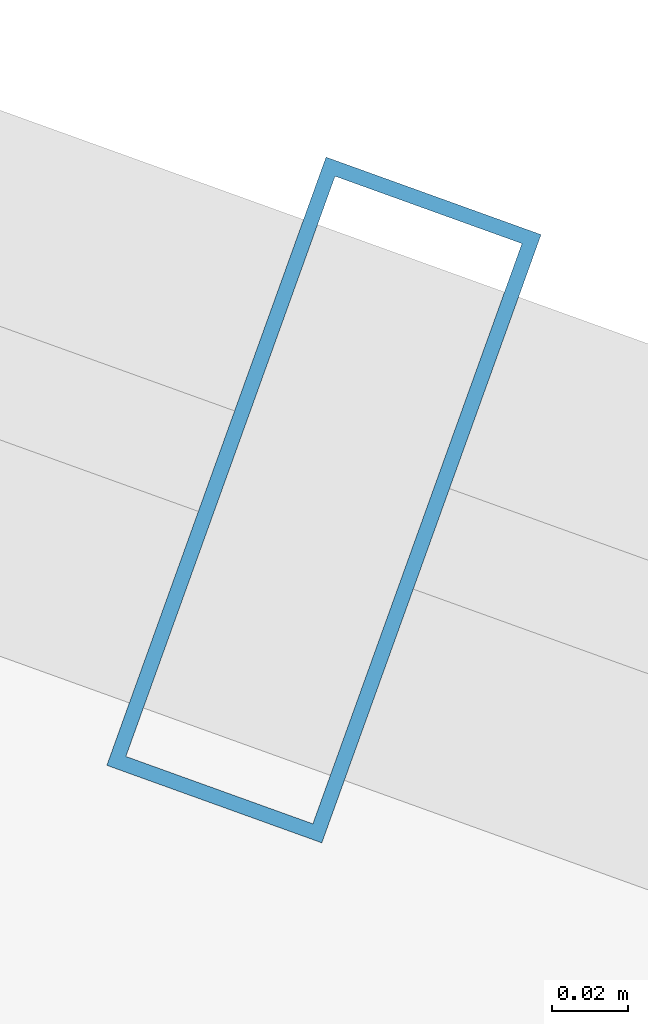
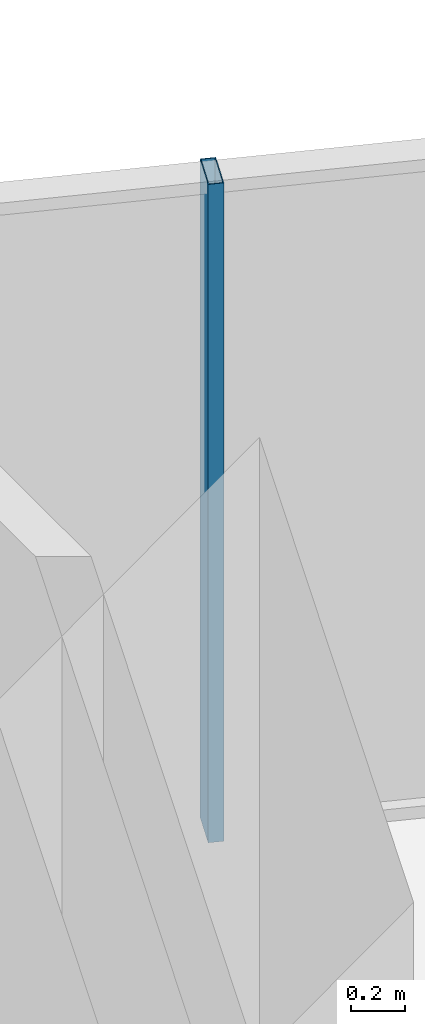
# One storey, part 25 of 36: 1 member, 1 element without a shape of its own.
"""IFC4 building model written with IfcOpenShell, lengths in metres."""

from ifc_helpers import new_model, si_unit, direction, frame, origin, origin_2d, place, context, subcontext, project, spatial, hollow_rectangle, extrude, source, transform, mapped, material, layer, layer_set, material_profile, profile_set, type_object, element, aggregate, save


model = new_model("IFC4")

# Units and contexts
model_context = context("Model", 3, precision=1e-05, world=origin(), true_north=direction((0.0, 1.0)))
body_context = subcontext(model_context, "Body", "Model", "MODEL_VIEW")
ifc_project = project(units=[si_unit("LENGTHUNIT", "METRE"), si_unit("AREAUNIT", "SQUARE_METRE"), si_unit("VOLUMEUNIT", "CUBIC_METRE"), si_unit("PLANEANGLEUNIT", "RADIAN"), si_unit("MASSUNIT", "GRAM", prefix="KILO")], contexts=[model_context])

# Site, building, storey
site_placement = place(None, origin())
site = spatial("IfcSite", under=ifc_project, at=site_placement, CompositionType="ELEMENT")
building_placement = place(site_placement, origin())
building = spatial("IfcBuilding", under=site, at=building_placement, Name="Veraguas Prism Commons", CompositionType="ELEMENT")
storey_placement = place(building_placement, frame((0.0, 0.0, 163.050048828125)))
storey = spatial("IfcBuildingStorey", under=building, at=storey_placement, Name="L46", CompositionType="ELEMENT", Elevation=163.050048828125)

# Curtain wall, member
ifc_material = material(Name="Anodised aluminium EN AW-6063 T6", Category="aluminium")
ifc_layer = layer(ifc_material, 0.169921875, Name="Unitised Flush Curtain Wall Zone 2", Category="aluminium")
ifc_layer_set = layer_set([ifc_layer], Name="Anodised aluminium EN AW-6063 T6")
curtain_wall_type = type_object("IfcCurtainWallType", Name="Unitised Flush Curtain Wall Zone 2", PredefinedType="NOTDEFINED", material=ifc_layer_set)
curtain_wall_placement = place(storey_placement, origin())
curtain_wall = element("IfcCurtainWall", 1, at=curtain_wall_placement, inside=storey, type_object=curtain_wall_type, Name="Tower Facade Curtain Wall L46-F1", PredefinedType="NOTDEFINED")
ifc_material_profile = material_profile(ifc_material, hollow_rectangle(XDim=0.06005859375, YDim=0.169921875, WallThickness=0.00390625, at=origin_2d()), Name="AL60X170X4")
ifc_profile_set = profile_set([ifc_material_profile], Name="Anodised aluminium EN AW-6063 T6")
member_type = type_object("IfcMemberType", Name="Curtain Wall Mullion Lower AL 60x170x4", PredefinedType="MULLION", material=ifc_profile_set)
shared_shape = source(origin(), body_context, "Body", "SweptSolid", [
    extrude(hollow_rectangle(XDim=0.06005859375, YDim=0.169921875, WallThickness=0.00390625, at=origin_2d()), origin(), (0.0, 0.0, 1.0), 3.0),
])
member_placement = place(storey_placement, frame((30.504150390625, 42.046142578125, 0.0), z_axis=(0.0, 0.0, 1.0), x_axis=(-0.940760694435, 0.339071254763, 0.0)))
member = element("IfcMember", 2, at=member_placement, type_object=member_type, Name="CW-Z2 Mullion 3", PredefinedType="MULLION", context=body_context, shape_type="MappedRepresentation", body=[
    mapped(shared_shape, transform((0.0, 0.0, 0.0), scale=1.0)),
])
aggregate(curtain_wall, [member])

save(model, "model.ifc")
